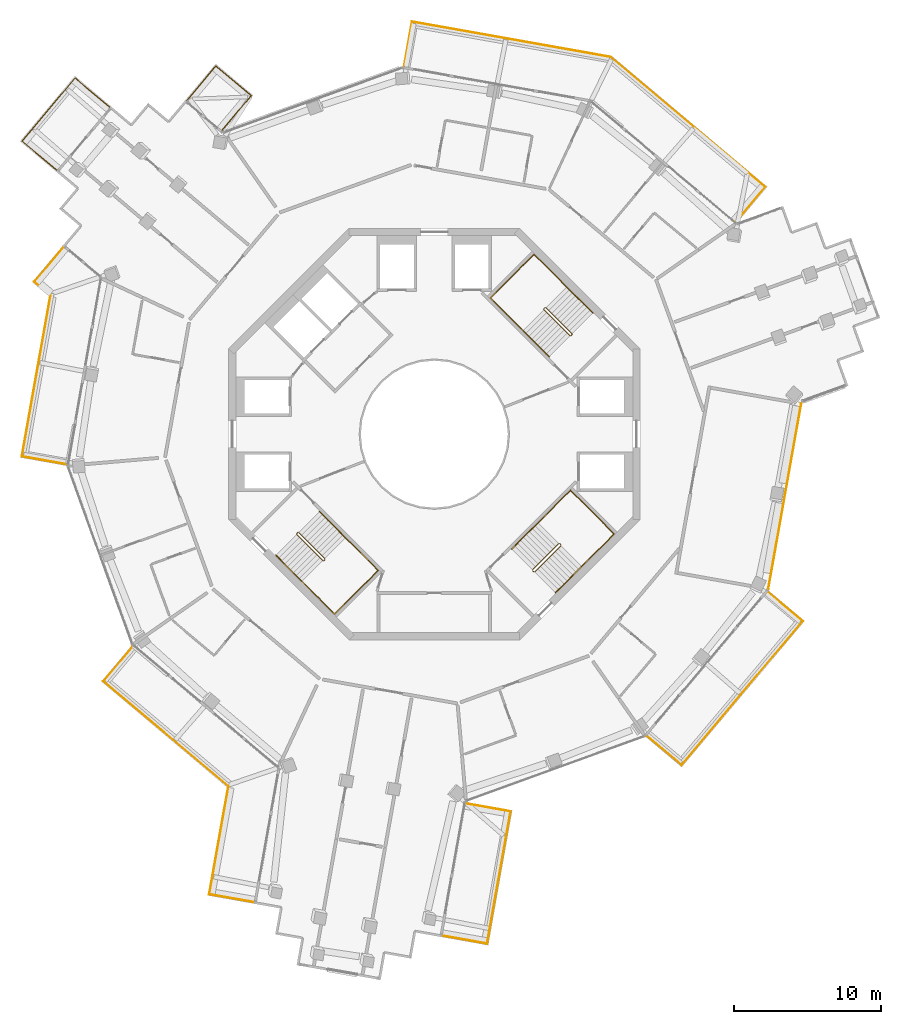
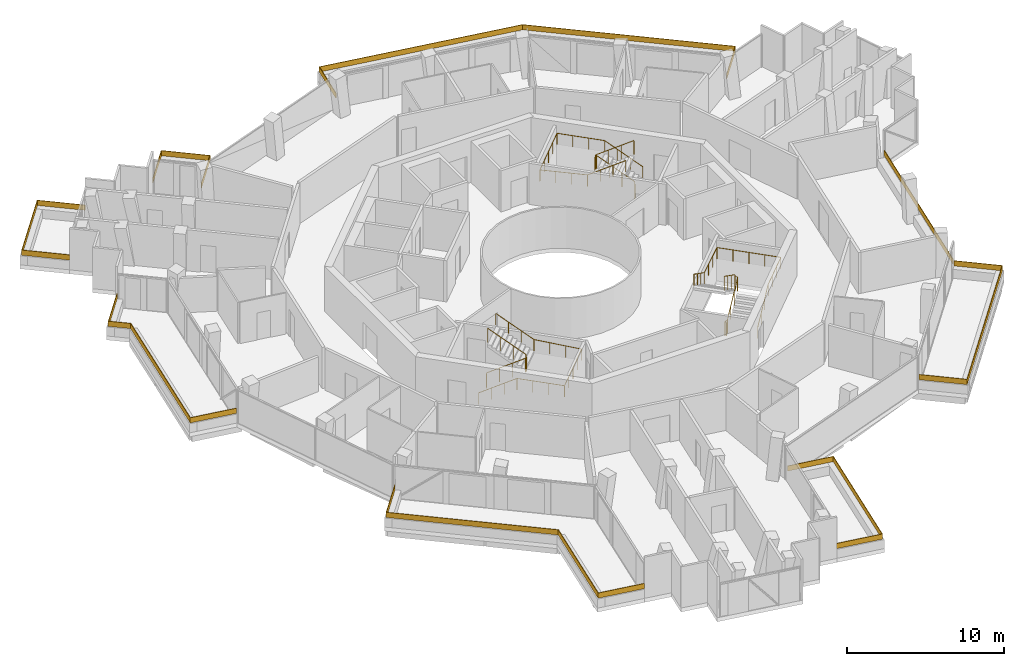
# One storey, part 22 of 22: 14 railings.
"""IFC4 building model written with IfcOpenShell, lengths in metres."""

from ifc_helpers import new_model, si_unit, direction, frame, origin, origin_2d, place, context, subcontext, project, spatial, polyline, rectangle, circle, outline, extrude, material, layer, layer_set, type_object, element, save


model = new_model("IFC4")

# Units and contexts
model_context = context("Model", 3, precision=1e-05, world=origin(), true_north=direction((0.0, 1.0)))
body_context = subcontext(model_context, "Body", "Model", "MODEL_VIEW")
ifc_project = project(units=[si_unit("LENGTHUNIT", "METRE"), si_unit("AREAUNIT", "SQUARE_METRE"), si_unit("VOLUMEUNIT", "CUBIC_METRE"), si_unit("PLANEANGLEUNIT", "RADIAN"), si_unit("MASSUNIT", "GRAM", prefix="KILO")], contexts=[model_context])

# Site, building, storey
site_placement = place(None, origin())
site = spatial("IfcSite", under=ifc_project, at=site_placement, CompositionType="ELEMENT")
building_placement = place(site_placement, origin())
building = spatial("IfcBuilding", under=site, at=building_placement, Name="Verdalira Terraces Hotel", CompositionType="ELEMENT")
storey_placement = place(building_placement, frame((0.0, 0.0, 237.5)))
storey = spatial("IfcBuildingStorey", under=building, at=storey_placement, Name="L58", CompositionType="ELEMENT", Elevation=237.5)

# Railings
ifc_material_1 = material(Name="Laminated glass", Category="glass")
ifc_layer = layer(ifc_material_1, 0.0400390625)
ifc_layer_set = layer_set([ifc_layer], Name="Balcony glass guard 400")
railing_type_1 = type_object("IfcRailingType", Name="Balcony glass guard 400", PredefinedType="GUARDRAIL", material=ifc_layer_set)
railing_1_placement = place(storey_placement, frame((0.0, 0.0, 0.699951)))
element("IfcRailing", 1, at=railing_1_placement, inside=storey, type_object=railing_type_1, Name="Balcony glass guard", PredefinedType="GUARDRAIL", context=body_context, shape_type="SweptSolid", body=[
    extrude(outline(polyline([(-24.435059, 24.195068), (-28.014893, 19.940918), (-25.65918, 17.958496), (-25.684814, 17.927734), (-28.071289, 19.936035), (-24.439941, 24.251465), (-22.053467, 22.243164), (-22.079346, 22.212646), (-24.435059, 24.195068)])), origin(), (0.0, 0.0, 1.0), 0.400146),
])
railing_2_placement = place(storey_placement, frame((0.0, 0.0, 0.699951)))
element("IfcRailing", 2, at=railing_2_placement, inside=storey, type_object=railing_type_1, Name="Balcony glass guard", PredefinedType="GUARDRAIL", context=body_context, shape_type="SweptSolid", body=[
    extrude(outline(polyline([(-27.190186, 10.359619), (-26.089844, 9.433594), (-28.032959, -1.496582), (-25.001465, -2.035645), (-25.008545, -2.074951), (-28.079346, -1.529053), (-26.133301, 9.417969), (-27.246582, 10.354736), (-25.238525, 12.741211), (-25.207764, 12.715576), (-27.190186, 10.359619)])), origin(), (0.0, 0.0, 1.0), 0.400146),
])
railing_3_placement = place(storey_placement, frame((0.0, 0.0, 0.699951)))
element("IfcRailing", 3, at=railing_3_placement, inside=storey, type_object=railing_type_1, Name="Balcony glass guard", PredefinedType="GUARDRAIL", context=body_context, shape_type="SweptSolid", body=[
    extrude(outline(polyline([(-22.483643, -16.810059), (-13.989014, -23.958008), (-15.291016, -31.28125), (-12.259521, -31.820068), (-12.266602, -31.859375), (-15.337402, -31.313477), (-14.032471, -23.973633), (-22.540039, -16.814941), (-20.531738, -14.428467), (-20.501221, -14.454102), (-22.483643, -16.810059)])), origin(), (0.0, 0.0, 1.0), 0.400146),
])
railing_4_placement = place(storey_placement, frame((0.0, 0.0, 0.699951)))
element("IfcRailing", 4, at=railing_4_placement, inside=storey, type_object=railing_type_1, Name="Balcony glass guard", PredefinedType="GUARDRAIL", context=body_context, shape_type="SweptSolid", body=[
    extrude(outline(polyline([(3.573242, -34.634521), (5.165283, -25.678711), (2.133789, -25.139893), (2.140869, -25.100586), (5.21167, -25.646484), (3.605713, -34.680908), (0.534912, -34.13501), (0.541748, -34.095703), (3.573242, -34.634521)])), origin(), (0.0, 0.0, 1.0), 0.400146),
])
railing_5_placement = place(storey_placement, frame((0.0, 0.0, 0.699951)))
element("IfcRailing", 5, at=railing_5_placement, inside=storey, type_object=railing_type_1, Name="Balcony glass guard", PredefinedType="GUARDRAIL", context=body_context, shape_type="SweptSolid", body=[
    extrude(outline(polyline([(16.810059, -22.483643), (25.025635, -12.720215), (22.669678, -10.737793), (22.695557, -10.707275), (25.082031, -12.715576), (16.814941, -22.540039), (14.428467, -20.531738), (14.454102, -20.501221), (16.810059, -22.483643)])), origin(), (0.0, 0.0, 1.0), 0.400146),
])
railing_6_placement = place(storey_placement, frame((0.0, 0.0, 0.699951)))
element("IfcRailing", 6, at=railing_6_placement, inside=storey, type_object=railing_type_1, Name="Balcony glass guard", PredefinedType="GUARDRAIL", context=body_context, shape_type="SweptSolid", body=[
    extrude(outline(polyline([(22.483643, 16.810059), (11.99707, 25.634277), (-1.496582, 28.032959), (-2.035645, 25.001465), (-2.074951, 25.008545), (-1.529053, 28.079346), (12.014648, 25.671875), (22.540039, 16.814941), (20.531738, 14.428467), (20.501221, 14.454102), (22.483643, 16.810059)])), origin(), (0.0, 0.0, 1.0), 0.400146),
])
railing_7_placement = place(storey_placement, frame((0.0, 0.0, 0.699951)))
element("IfcRailing", 7, at=railing_7_placement, inside=storey, type_object=railing_type_1, Name="Balcony glass guard", PredefinedType="GUARDRAIL", context=body_context, shape_type="SweptSolid", body=[
    extrude(outline(polyline([(-12.484863, 23.026367), (-14.854004, 25.019775), (-16.836426, 22.663818), (-16.866943, 22.689697), (-14.858887, 25.076172), (-12.428467, 23.031006), (-14.436768, 20.644531), (-14.467285, 20.67041), (-12.484863, 23.026367)])), origin(), (0.0, 0.0, 1.0), 0.400146),
])
railing_8_placement = place(storey_placement, frame((23.834717, -4.237061, 0.699951), z_axis=(0.0, 0.0, 1.0), x_axis=(0.175023059, 0.984564335, 0.0)))
element("IfcRailing", 8, at=railing_8_placement, inside=storey, type_object=railing_type_1, Name="Loggia glass guard", PredefinedType="GUARDRAIL", context=body_context, shape_type="SweptSolid", body=[
    extrude(rectangle(XDim=12.840088, YDim=0.040039, at=origin_2d()), origin(), (0.0, 0.0, 1.0), 0.399902),
])
ifc_material_2 = material(Name="Stainless steel", Category="steel")
railing_type_2 = type_object("IfcRailingType", Name="Stair guard 1100", PredefinedType="GUARDRAIL", material=ifc_material_2)
railing_9_placement = place(storey_placement, frame((9.369141, 6.75293, 0.0)))
element("IfcRailing", 9, at=railing_9_placement, inside=storey, type_object=railing_type_2, Name="L58 ST1 stair guard 1", PredefinedType="GUARDRAIL", context=body_context, shape_type="SweptSolid", body=[
    extrude(circle(Radius=0.023926, at=origin_2d()), frame((0.0, 0.0, 1.076172), z_axis=(-0.707106781, -0.707106781, 0.0), x_axis=(0.707106781, -0.707106781, 0.0)), (0.0, 0.0, 1.0), 0.100098),
    extrude(circle(Radius=0.023926, at=origin_2d()), frame((-0.070801, -0.070801, 1.076172), z_axis=(0.300162975, 0.599290904, 0.742127078), x_axis=(-0.894118129, 0.447831187, 0.0)), (0.0, 0.0, 1.0), 0.23584),
    extrude(circle(Radius=0.023926, at=origin_2d()), frame((0.0, 0.070557, 1.250977), z_axis=(-0.599637504, 0.599637504, 0.52997144), x_axis=(-0.707106781, -0.707106781, 0.0)), (0.0, 0.0, 1.0), 2.97168),
    extrude(circle(Radius=0.023926, at=origin_2d()), frame((-1.781982, 1.852539, 2.826172), z_axis=(-1.0, 0.0, 0.0), x_axis=(0.0, -1.0, 0.0)), (0.0, 0.0, 1.0), 0.070557),
    extrude(circle(Radius=0.023926, at=origin_2d()), frame((-1.852539, 1.852539, 2.826172), z_axis=(-0.707106781, -0.707106781, 0.0), x_axis=(0.707106781, -0.707106781, 0.0)), (0.0, 0.0, 1.0), 0.100098),
    extrude(circle(Radius=0.023926, at=origin_2d()), frame((-1.92334, 1.781738, 2.826172), z_axis=(0.0, -0.373842709, 0.927492118), x_axis=(1.0, 0.0, 0.0)), (0.0, 0.0, 1.0), 0.188721),
    extrude(circle(Radius=0.023926, at=origin_2d()), frame((-1.92334, 1.711182, 3.000977), z_axis=(0.599637504, -0.599637504, 0.52997144), x_axis=(0.707106781, 0.707106781, 0.0)), (0.0, 0.0, 1.0), 2.97168),
    extrude(circle(Radius=0.020996, at=origin_2d()), origin(), (0.0, 0.0, 1.0), 1.052002),
    extrude(circle(Radius=0.020996, at=origin_2d()), frame((-0.070801, -0.070801, 0.0)), (0.0, 0.0, 1.0), 1.052002),
    extrude(circle(Radius=0.020996, at=origin_2d()), frame((0.0, 0.070557, 0.175049)), (0.0, 0.0, 1.0), 1.052002),
    extrude(circle(Radius=0.020996, at=origin_2d()), frame((-0.593994, 0.664551, 0.699951)), (0.0, 0.0, 1.0), 1.052002),
    extrude(circle(Radius=0.020996, at=origin_2d()), frame((-1.187988, 1.258545, 1.225098)), (0.0, 0.0, 1.0), 1.052002),
    extrude(circle(Radius=0.020996, at=origin_2d()), frame((-1.781982, 1.852539, 1.75)), (0.0, 0.0, 1.0), 1.052002),
    extrude(circle(Radius=0.020996, at=origin_2d()), frame((-1.852539, 1.852539, 1.75)), (0.0, 0.0, 1.0), 1.052002),
    extrude(circle(Radius=0.020996, at=origin_2d()), frame((-1.92334, 1.781738, 1.75)), (0.0, 0.0, 1.0), 1.052002),
    extrude(circle(Radius=0.020996, at=origin_2d()), frame((-1.92334, 1.711182, 1.925049)), (0.0, 0.0, 1.0), 1.052002),
    extrude(circle(Radius=0.020996, at=origin_2d()), frame((-1.329346, 1.117188, 2.449951)), (0.0, 0.0, 1.0), 1.052002),
    extrude(circle(Radius=0.020996, at=origin_2d()), frame((-0.735352, 0.523193, 2.975098)), (0.0, 0.0, 1.0), 1.052002),
    extrude(circle(Radius=0.020996, at=origin_2d()), frame((-0.141357, -0.070801, 3.5)), (0.0, 0.0, 1.0), 1.052002),
])
railing_10_placement = place(storey_placement, frame((-9.369141, -6.75293, 0.0)))
element("IfcRailing", 10, at=railing_10_placement, inside=storey, type_object=railing_type_2, Name="L58 ST2 stair guard 1", PredefinedType="GUARDRAIL", context=body_context, shape_type="SweptSolid", body=[
    extrude(circle(Radius=0.023926, at=origin_2d()), frame((0.0, 0.0, 1.076172), z_axis=(0.707106781, 0.707106781, 0.0), x_axis=(-0.707106781, 0.707106781, 0.0)), (0.0, 0.0, 1.0), 0.100098),
    extrude(circle(Radius=0.023926, at=origin_2d()), frame((0.070801, 0.070801, 1.076172), z_axis=(-0.300162975, -0.599290904, 0.742127078), x_axis=(0.894118129, -0.447831187, 0.0)), (0.0, 0.0, 1.0), 0.23584),
    extrude(circle(Radius=0.023926, at=origin_2d()), frame((0.0, -0.070557, 1.250977), z_axis=(0.599637504, -0.599637504, 0.52997144), x_axis=(0.707106781, 0.707106781, 0.0)), (0.0, 0.0, 1.0), 2.97168),
    extrude(circle(Radius=0.023926, at=origin_2d()), frame((1.781982, -1.852539, 2.826172), z_axis=(1.0, 0.0, 0.0), x_axis=(0.0, 1.0, 0.0)), (0.0, 0.0, 1.0), 0.070557),
    extrude(circle(Radius=0.023926, at=origin_2d()), frame((1.852539, -1.852539, 2.826172), z_axis=(0.707106781, 0.707106781, 0.0), x_axis=(-0.707106781, 0.707106781, 0.0)), (0.0, 0.0, 1.0), 0.100098),
    extrude(circle(Radius=0.023926, at=origin_2d()), frame((1.92334, -1.781738, 2.826172), z_axis=(0.0, 0.373842709, 0.927492118), x_axis=(-1.0, 0.0, 0.0)), (0.0, 0.0, 1.0), 0.188721),
    extrude(circle(Radius=0.023926, at=origin_2d()), frame((1.92334, -1.711182, 3.000977), z_axis=(-0.599637504, 0.599637504, 0.52997144), x_axis=(-0.707106781, -0.707106781, 0.0)), (0.0, 0.0, 1.0), 2.97168),
    extrude(circle(Radius=0.020996, at=origin_2d()), origin(), (0.0, 0.0, 1.0), 1.052002),
    extrude(circle(Radius=0.020996, at=origin_2d()), frame((0.070801, 0.070801, 0.0)), (0.0, 0.0, 1.0), 1.052002),
    extrude(circle(Radius=0.020996, at=origin_2d()), frame((0.0, -0.070557, 0.175049)), (0.0, 0.0, 1.0), 1.052002),
    extrude(circle(Radius=0.020996, at=origin_2d()), frame((0.593994, -0.664551, 0.699951)), (0.0, 0.0, 1.0), 1.052002),
    extrude(circle(Radius=0.020996, at=origin_2d()), frame((1.187988, -1.258545, 1.225098)), (0.0, 0.0, 1.0), 1.052002),
    extrude(circle(Radius=0.020996, at=origin_2d()), frame((1.781982, -1.852539, 1.75)), (0.0, 0.0, 1.0), 1.052002),
    extrude(circle(Radius=0.020996, at=origin_2d()), frame((1.852539, -1.852539, 1.75)), (0.0, 0.0, 1.0), 1.052002),
    extrude(circle(Radius=0.020996, at=origin_2d()), frame((1.92334, -1.781738, 1.75)), (0.0, 0.0, 1.0), 1.052002),
    extrude(circle(Radius=0.020996, at=origin_2d()), frame((1.92334, -1.711182, 1.925049)), (0.0, 0.0, 1.0), 1.052002),
    extrude(circle(Radius=0.020996, at=origin_2d()), frame((1.329346, -1.117188, 2.449951)), (0.0, 0.0, 1.0), 1.052002),
    extrude(circle(Radius=0.020996, at=origin_2d()), frame((0.735352, -0.523193, 2.975098)), (0.0, 0.0, 1.0), 1.052002),
    extrude(circle(Radius=0.020996, at=origin_2d()), frame((0.141357, 0.070801, 3.5)), (0.0, 0.0, 1.0), 1.052002),
])
railing_11_placement = place(storey_placement, frame((6.75293, -9.369141, 0.0)))
element("IfcRailing", 11, at=railing_11_placement, inside=storey, type_object=railing_type_2, Name="L58 ST3 stair guard 1", PredefinedType="GUARDRAIL", context=body_context, shape_type="SweptSolid", body=[
    extrude(circle(Radius=0.023926, at=origin_2d()), frame((0.0, 0.0, 1.076172), z_axis=(-0.707106781, 0.707106781, 0.0), x_axis=(-0.707106781, -0.707106781, 0.0)), (0.0, 0.0, 1.0), 0.100098),
    extrude(circle(Radius=0.023926, at=origin_2d()), frame((-0.070801, 0.070801, 1.076172), z_axis=(0.599290904, -0.300162975, 0.742127078), x_axis=(0.447831187, 0.894118129, 0.0)), (0.0, 0.0, 1.0), 0.23584),
    extrude(circle(Radius=0.023926, at=origin_2d()), frame((0.070557, 0.0, 1.250977), z_axis=(0.599637504, 0.599637504, 0.52997144), x_axis=(-0.707106781, 0.707106781, 0.0)), (0.0, 0.0, 1.0), 2.97168),
    extrude(circle(Radius=0.023926, at=origin_2d()), frame((1.852539, 1.781982, 2.826172), z_axis=(0.0, 1.0, 0.0), x_axis=(-1.0, 0.0, 0.0)), (0.0, 0.0, 1.0), 0.070557),
    extrude(circle(Radius=0.023926, at=origin_2d()), frame((1.852539, 1.852539, 2.826172), z_axis=(-0.707106781, 0.707106781, 0.0), x_axis=(-0.707106781, -0.707106781, 0.0)), (0.0, 0.0, 1.0), 0.100098),
    extrude(circle(Radius=0.023926, at=origin_2d()), frame((1.781738, 1.92334, 2.826172), z_axis=(-0.373842709, 0.0, 0.927492118), x_axis=(0.0, -1.0, 0.0)), (0.0, 0.0, 1.0), 0.188721),
    extrude(circle(Radius=0.023926, at=origin_2d()), frame((1.711182, 1.92334, 3.000977), z_axis=(-0.599637504, -0.599637504, 0.52997144), x_axis=(0.707106781, -0.707106781, 0.0)), (0.0, 0.0, 1.0), 2.97168),
    extrude(circle(Radius=0.020996, at=origin_2d()), origin(), (0.0, 0.0, 1.0), 1.052002),
    extrude(circle(Radius=0.020996, at=origin_2d()), frame((-0.070801, 0.070801, 0.0)), (0.0, 0.0, 1.0), 1.052002),
    extrude(circle(Radius=0.020996, at=origin_2d()), frame((0.070557, 0.0, 0.175049)), (0.0, 0.0, 1.0), 1.052002),
    extrude(circle(Radius=0.020996, at=origin_2d()), frame((0.664551, 0.593994, 0.699951)), (0.0, 0.0, 1.0), 1.052002),
    extrude(circle(Radius=0.020996, at=origin_2d()), frame((1.258545, 1.187988, 1.225098)), (0.0, 0.0, 1.0), 1.052002),
    extrude(circle(Radius=0.020996, at=origin_2d()), frame((1.852539, 1.781982, 1.75)), (0.0, 0.0, 1.0), 1.052002),
    extrude(circle(Radius=0.020996, at=origin_2d()), frame((1.852539, 1.852539, 1.75)), (0.0, 0.0, 1.0), 1.052002),
    extrude(circle(Radius=0.020996, at=origin_2d()), frame((1.781738, 1.92334, 1.75)), (0.0, 0.0, 1.0), 1.052002),
    extrude(circle(Radius=0.020996, at=origin_2d()), frame((1.711182, 1.92334, 1.925049)), (0.0, 0.0, 1.0), 1.052002),
    extrude(circle(Radius=0.020996, at=origin_2d()), frame((1.117188, 1.329346, 2.449951)), (0.0, 0.0, 1.0), 1.052002),
    extrude(circle(Radius=0.020996, at=origin_2d()), frame((0.523193, 0.735352, 2.975098)), (0.0, 0.0, 1.0), 1.052002),
    extrude(circle(Radius=0.020996, at=origin_2d()), frame((-0.070801, 0.141357, 3.5)), (0.0, 0.0, 1.0), 1.052002),
])
ifc_material_3 = material(Name="Stainless steel", Category="steel")
railing_type_3 = type_object("IfcRailingType", Name="Stair handrail 900", PredefinedType="HANDRAIL", material=ifc_material_3)
railing_12_placement = place(storey_placement, frame((10.783447, 8.237793, 0.175049)))
element("IfcRailing", 12, at=railing_12_placement, inside=storey, type_object=railing_type_3, Name="L58 ST1 stair handrail 1", PredefinedType="HANDRAIL", context=body_context, shape_type="SweptSolid", body=[
    extrude(circle(Radius=0.023926, at=origin_2d()), frame((0.0, 0.0, 0.875977), z_axis=(-0.599637504, 0.599637504, 0.52997144), x_axis=(-0.707106781, -0.707106781, 0.0)), (0.0, 0.0, 1.0), 2.97168),
    extrude(circle(Radius=0.023926, at=origin_2d()), frame((-1.781982, 1.781982, 2.450684), z_axis=(-0.707106781, 0.707106781, 0.0), x_axis=(-0.707106781, -0.707106781, 0.0)), (0.0, 0.0, 1.0), 3.129883),
    extrude(circle(Radius=0.023926, at=origin_2d()), frame((-3.995117, 3.995117, 2.450684), z_axis=(-0.707135845, -0.707077716, 0.0), x_axis=(0.707077716, -0.707135845, 0.0)), (0.0, 0.0, 1.0), 4.199951),
    extrude(circle(Radius=0.023926, at=origin_2d()), frame((-6.965088, 1.025391, 2.450684), z_axis=(0.706003682, -0.706003682, 0.0558355), x_axis=(0.707106781, 0.707106781, 0.0)), (0.0, 0.0, 1.0), 3.13501),
    extrude(circle(Radius=0.023926, at=origin_2d()), frame((-4.751709, -1.187988, 2.625977), z_axis=(0.599614426, -0.599614426, 0.530023659), x_axis=(0.707106781, 0.707106781, 0.0)), (0.0, 0.0, 1.0), 2.971436),
    extrude(circle(Radius=0.020996, at=origin_2d()), origin(), (0.0, 0.0, 1.0), 0.851807),
    extrude(circle(Radius=0.020996, at=origin_2d()), frame((-0.593994, 0.593994, 0.524902)), (0.0, 0.0, 1.0), 0.851807),
    extrude(circle(Radius=0.020996, at=origin_2d()), frame((-1.187988, 1.187988, 1.050049)), (0.0, 0.0, 1.0), 0.851807),
    extrude(circle(Radius=0.020996, at=origin_2d()), frame((-1.781982, 1.781982, 1.574951)), (0.0, 0.0, 1.0), 0.851807),
    extrude(circle(Radius=0.020996, at=origin_2d()), frame((-2.519775, 2.519775, 1.574951)), (0.0, 0.0, 1.0), 0.851807),
    extrude(circle(Radius=0.020996, at=origin_2d()), frame((-3.257324, 3.257324, 1.574951)), (0.0, 0.0, 1.0), 0.851807),
    extrude(circle(Radius=0.020996, at=origin_2d()), frame((-3.995117, 3.995117, 1.574951)), (0.0, 0.0, 1.0), 0.851807),
    extrude(circle(Radius=0.020996, at=origin_2d()), frame((-4.737549, 3.252686, 1.574951)), (0.0, 0.0, 1.0), 0.851807),
    extrude(circle(Radius=0.020996, at=origin_2d()), frame((-5.47998, 2.510254, 1.574951)), (0.0, 0.0, 1.0), 0.851807),
    extrude(circle(Radius=0.020996, at=origin_2d()), frame((-6.222656, 1.767822, 1.574951)), (0.0, 0.0, 1.0), 0.851807),
    extrude(circle(Radius=0.020996, at=origin_2d()), frame((-6.965088, 1.025391, 1.574951)), (0.0, 0.0, 1.0), 0.851807),
    extrude(circle(Radius=0.020996, at=origin_2d()), frame((-6.227295, 0.287598, 1.633301)), (0.0, 0.0, 1.0), 0.851807),
    extrude(circle(Radius=0.020996, at=origin_2d()), frame((-5.489502, -0.450195, 1.69165)), (0.0, 0.0, 1.0), 0.851807),
    extrude(circle(Radius=0.020996, at=origin_2d()), frame((-4.751709, -1.187988, 1.75)), (0.0, 0.0, 1.0), 0.851807),
    extrude(circle(Radius=0.020996, at=origin_2d()), frame((-4.157715, -1.781982, 2.274902)), (0.0, 0.0, 1.0), 0.851807),
    extrude(circle(Radius=0.020996, at=origin_2d()), frame((-3.563965, -2.375732, 2.800049)), (0.0, 0.0, 1.0), 0.851807),
    extrude(circle(Radius=0.020996, at=origin_2d()), frame((-2.969971, -2.969727, 3.324951)), (0.0, 0.0, 1.0), 0.851807),
])
railing_13_placement = place(storey_placement, frame((-10.783447, -8.237793, 0.175049)))
element("IfcRailing", 13, at=railing_13_placement, inside=storey, type_object=railing_type_3, Name="L58 ST2 stair handrail 1", PredefinedType="HANDRAIL", context=body_context, shape_type="SweptSolid", body=[
    extrude(circle(Radius=0.023926, at=origin_2d()), frame((0.0, 0.0, 0.875977), z_axis=(0.599637504, -0.599637504, 0.52997144), x_axis=(0.707106781, 0.707106781, 0.0)), (0.0, 0.0, 1.0), 2.97168),
    extrude(circle(Radius=0.023926, at=origin_2d()), frame((1.781982, -1.781982, 2.450684), z_axis=(0.707106781, -0.707106781, 0.0), x_axis=(0.707106781, 0.707106781, 0.0)), (0.0, 0.0, 1.0), 3.129883),
    extrude(circle(Radius=0.023926, at=origin_2d()), frame((3.995117, -3.995117, 2.450684), z_axis=(0.707135845, 0.707077716, 0.0), x_axis=(-0.707077716, 0.707135845, 0.0)), (0.0, 0.0, 1.0), 4.199951),
    extrude(circle(Radius=0.023926, at=origin_2d()), frame((6.965088, -1.025391, 2.450684), z_axis=(-0.706003682, 0.706003682, 0.0558355), x_axis=(-0.707106781, -0.707106781, 0.0)), (0.0, 0.0, 1.0), 3.13501),
    extrude(circle(Radius=0.023926, at=origin_2d()), frame((4.751709, 1.187988, 2.625977), z_axis=(-0.599614426, 0.599614426, 0.530023659), x_axis=(-0.707106781, -0.707106781, 0.0)), (0.0, 0.0, 1.0), 2.971436),
    extrude(circle(Radius=0.020996, at=origin_2d()), origin(), (0.0, 0.0, 1.0), 0.851807),
    extrude(circle(Radius=0.020996, at=origin_2d()), frame((0.593994, -0.593994, 0.524902)), (0.0, 0.0, 1.0), 0.851807),
    extrude(circle(Radius=0.020996, at=origin_2d()), frame((1.187988, -1.187988, 1.050049)), (0.0, 0.0, 1.0), 0.851807),
    extrude(circle(Radius=0.020996, at=origin_2d()), frame((1.781982, -1.781982, 1.574951)), (0.0, 0.0, 1.0), 0.851807),
    extrude(circle(Radius=0.020996, at=origin_2d()), frame((2.519775, -2.519775, 1.574951)), (0.0, 0.0, 1.0), 0.851807),
    extrude(circle(Radius=0.020996, at=origin_2d()), frame((3.257324, -3.257324, 1.574951)), (0.0, 0.0, 1.0), 0.851807),
    extrude(circle(Radius=0.020996, at=origin_2d()), frame((3.995117, -3.995117, 1.574951)), (0.0, 0.0, 1.0), 0.851807),
    extrude(circle(Radius=0.020996, at=origin_2d()), frame((4.737549, -3.252686, 1.574951)), (0.0, 0.0, 1.0), 0.851807),
    extrude(circle(Radius=0.020996, at=origin_2d()), frame((5.47998, -2.510254, 1.574951)), (0.0, 0.0, 1.0), 0.851807),
    extrude(circle(Radius=0.020996, at=origin_2d()), frame((6.222656, -1.767822, 1.574951)), (0.0, 0.0, 1.0), 0.851807),
    extrude(circle(Radius=0.020996, at=origin_2d()), frame((6.965088, -1.025391, 1.574951)), (0.0, 0.0, 1.0), 0.851807),
    extrude(circle(Radius=0.020996, at=origin_2d()), frame((6.227295, -0.287598, 1.633301)), (0.0, 0.0, 1.0), 0.851807),
    extrude(circle(Radius=0.020996, at=origin_2d()), frame((5.489502, 0.450195, 1.69165)), (0.0, 0.0, 1.0), 0.851807),
    extrude(circle(Radius=0.020996, at=origin_2d()), frame((4.751709, 1.187988, 1.75)), (0.0, 0.0, 1.0), 0.851807),
    extrude(circle(Radius=0.020996, at=origin_2d()), frame((4.157715, 1.781982, 2.274902)), (0.0, 0.0, 1.0), 0.851807),
    extrude(circle(Radius=0.020996, at=origin_2d()), frame((3.563965, 2.375732, 2.800049)), (0.0, 0.0, 1.0), 0.851807),
    extrude(circle(Radius=0.020996, at=origin_2d()), frame((2.969971, 2.969727, 3.324951)), (0.0, 0.0, 1.0), 0.851807),
])
railing_14_placement = place(storey_placement, frame((8.237793, -10.783447, 0.175049)))
element("IfcRailing", 14, at=railing_14_placement, inside=storey, type_object=railing_type_3, Name="L58 ST3 stair handrail 1", PredefinedType="HANDRAIL", context=body_context, shape_type="SweptSolid", body=[
    extrude(circle(Radius=0.023926, at=origin_2d()), frame((0.0, 0.0, 0.875977), z_axis=(0.599637504, 0.599637504, 0.52997144), x_axis=(-0.707106781, 0.707106781, 0.0)), (0.0, 0.0, 1.0), 2.97168),
    extrude(circle(Radius=0.023926, at=origin_2d()), frame((1.781982, 1.781982, 2.450684), z_axis=(0.707106781, 0.707106781, 0.0), x_axis=(-0.707106781, 0.707106781, 0.0)), (0.0, 0.0, 1.0), 3.129883),
    extrude(circle(Radius=0.023926, at=origin_2d()), frame((3.995117, 3.995117, 2.450684), z_axis=(-0.707077716, 0.707135845, 0.0), x_axis=(-0.707135845, -0.707077716, 0.0)), (0.0, 0.0, 1.0), 4.199951),
    extrude(circle(Radius=0.023926, at=origin_2d()), frame((1.025391, 6.965088, 2.450684), z_axis=(-0.706003682, -0.706003682, 0.0558355), x_axis=(0.707106781, -0.707106781, 0.0)), (0.0, 0.0, 1.0), 3.13501),
    extrude(circle(Radius=0.023926, at=origin_2d()), frame((-1.187988, 4.751709, 2.625977), z_axis=(-0.599614426, -0.599614426, 0.530023659), x_axis=(0.707106781, -0.707106781, 0.0)), (0.0, 0.0, 1.0), 2.971436),
    extrude(circle(Radius=0.020996, at=origin_2d()), origin(), (0.0, 0.0, 1.0), 0.851807),
    extrude(circle(Radius=0.020996, at=origin_2d()), frame((0.593994, 0.593994, 0.524902)), (0.0, 0.0, 1.0), 0.851807),
    extrude(circle(Radius=0.020996, at=origin_2d()), frame((1.187988, 1.187988, 1.050049)), (0.0, 0.0, 1.0), 0.851807),
    extrude(circle(Radius=0.020996, at=origin_2d()), frame((1.781982, 1.781982, 1.574951)), (0.0, 0.0, 1.0), 0.851807),
    extrude(circle(Radius=0.020996, at=origin_2d()), frame((2.519775, 2.519775, 1.574951)), (0.0, 0.0, 1.0), 0.851807),
    extrude(circle(Radius=0.020996, at=origin_2d()), frame((3.257324, 3.257324, 1.574951)), (0.0, 0.0, 1.0), 0.851807),
    extrude(circle(Radius=0.020996, at=origin_2d()), frame((3.995117, 3.995117, 1.574951)), (0.0, 0.0, 1.0), 0.851807),
    extrude(circle(Radius=0.020996, at=origin_2d()), frame((3.252686, 4.737549, 1.574951)), (0.0, 0.0, 1.0), 0.851807),
    extrude(circle(Radius=0.020996, at=origin_2d()), frame((2.510254, 5.47998, 1.574951)), (0.0, 0.0, 1.0), 0.851807),
    extrude(circle(Radius=0.020996, at=origin_2d()), frame((1.767822, 6.222656, 1.574951)), (0.0, 0.0, 1.0), 0.851807),
    extrude(circle(Radius=0.020996, at=origin_2d()), frame((1.025391, 6.965088, 1.574951)), (0.0, 0.0, 1.0), 0.851807),
    extrude(circle(Radius=0.020996, at=origin_2d()), frame((0.287598, 6.227295, 1.633301)), (0.0, 0.0, 1.0), 0.851807),
    extrude(circle(Radius=0.020996, at=origin_2d()), frame((-0.450195, 5.489502, 1.69165)), (0.0, 0.0, 1.0), 0.851807),
    extrude(circle(Radius=0.020996, at=origin_2d()), frame((-1.187988, 4.751709, 1.75)), (0.0, 0.0, 1.0), 0.851807),
    extrude(circle(Radius=0.020996, at=origin_2d()), frame((-1.781982, 4.157715, 2.274902)), (0.0, 0.0, 1.0), 0.851807),
    extrude(circle(Radius=0.020996, at=origin_2d()), frame((-2.375732, 3.563965, 2.800049)), (0.0, 0.0, 1.0), 0.851807),
    extrude(circle(Radius=0.020996, at=origin_2d()), frame((-2.969727, 2.969971, 3.324951)), (0.0, 0.0, 1.0), 0.851807),
])

save(model, "model.ifc")
